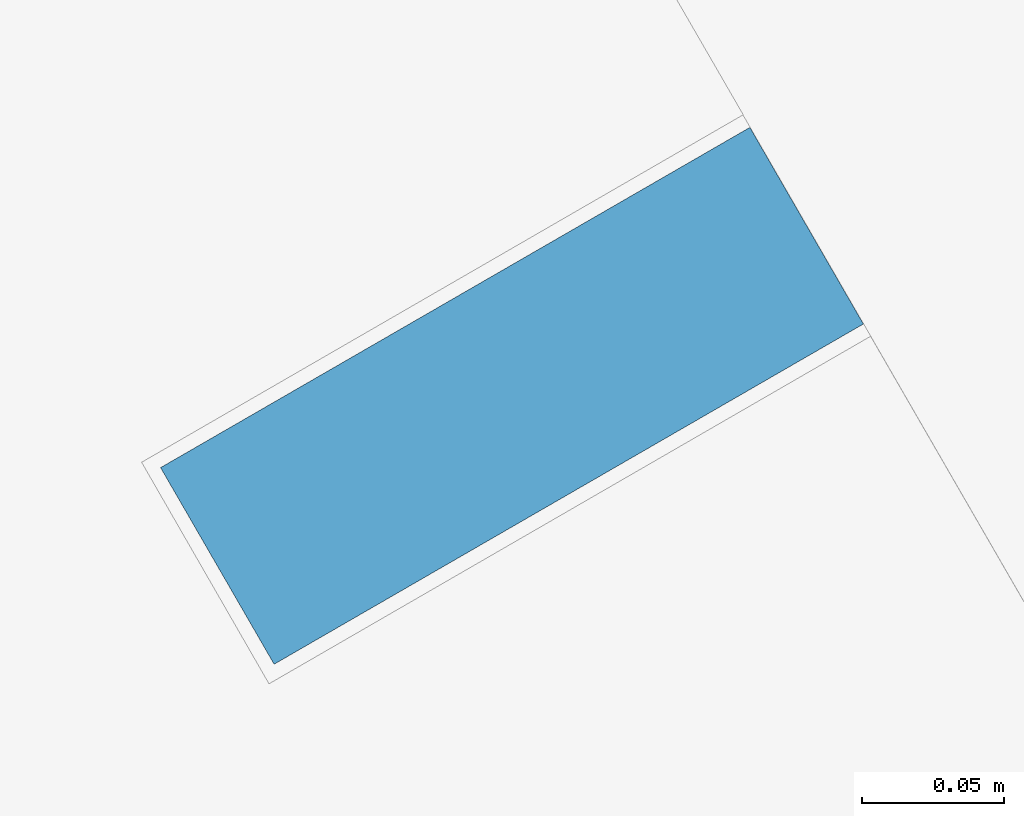
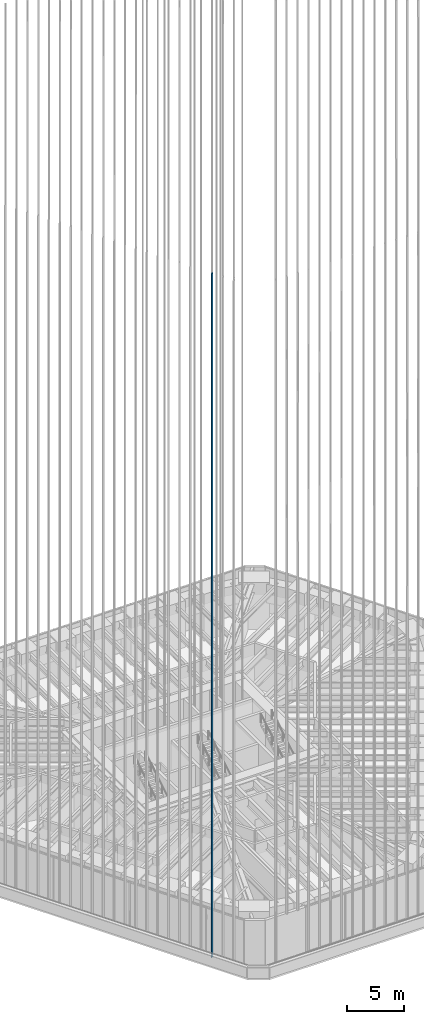
# One storey, part 20 of 228: 1 member, 1 element without a shape of its own.
"""IFC4 building model written with IfcOpenShell, lengths in metres."""

from ifc_helpers import new_model, si_unit, direction, frame, origin, origin_2d, place, context, subcontext, project, spatial, rectangle, extrude, material, material_profile, profile_set, type_object, element, aggregate, save


model = new_model("IFC4")

# Units and contexts
model_context = context("Model", 3, precision=1e-05, world=origin(), true_north=direction((0.0, 1.0)))
body_context = subcontext(model_context, "Body", "Model", "MODEL_VIEW")
ifc_project = project(units=[si_unit("LENGTHUNIT", "METRE"), si_unit("AREAUNIT", "SQUARE_METRE"), si_unit("VOLUMEUNIT", "CUBIC_METRE"), si_unit("PLANEANGLEUNIT", "RADIAN"), si_unit("MASSUNIT", "GRAM", prefix="KILO")], contexts=[model_context])

# Site, building, storey
site_placement = place(None, origin())
site = spatial("IfcSite", under=ifc_project, at=site_placement, CompositionType="ELEMENT")
building_placement = place(site_placement, origin())
building = spatial("IfcBuilding", under=site, at=building_placement, Name="Sandreach Pilgrim Tower", CompositionType="ELEMENT")
storey_placement = place(building_placement, frame((0.0, 0.0, 178.199951171875)))
storey = spatial("IfcBuildingStorey", under=building, at=storey_placement, Name="L44", CompositionType="ELEMENT", Elevation=178.199951171875)

# Curtain wall, member
ifc_material_1 = material(Name="Aluminium framed curtain wall", Category="aluminium")
curtain_wall_type = type_object("IfcCurtainWallType", Name="Upper hotel tower curtain wall", PredefinedType="NOTDEFINED", material=ifc_material_1)
curtain_wall_placement = place(storey_placement, origin())
curtain_wall = element("IfcCurtainWall", 1, at=curtain_wall_placement, inside=storey, type_object=curtain_wall_type, Name="CW-3 L44 SW", PredefinedType="NOTDEFINED")
ifc_material_2 = material(Name="Extruded terracotta on aluminium core", Category="masonry")
ifc_material_profile = material_profile(ifc_material_2, rectangle(XDim=0.080078125, YDim=0.239990234375, at=origin_2d()), Name="TBW 80X240")
ifc_profile_set = profile_set([ifc_material_profile], Name="Extruded terracotta on aluminium core")
member_type = type_object("IfcMemberType", Name="Terracotta baguette west", PredefinedType="USERDEFINED", material=ifc_profile_set)
member_placement = place(storey_placement, frame((-11.52587890625, -23.197021484375, 0.0), z_axis=(0.0, 0.0, 1.0), x_axis=(-0.5, 0.866025403784, 0.0)))
member = element("IfcMember", 2, at=member_placement, type_object=member_type, Name="Baguette Z3 SW03", ObjectType="BAGUETTE", PredefinedType="USERDEFINED", context=body_context, shape_type="SweptSolid", body=[
    extrude(rectangle(XDim=0.080078125, YDim=0.239990234375, at=origin_2d()), origin(), (0.0, 0.0, 1.0), 73.239990234375),
])
aggregate(curtain_wall, [member])

save(model, "model.ifc")
